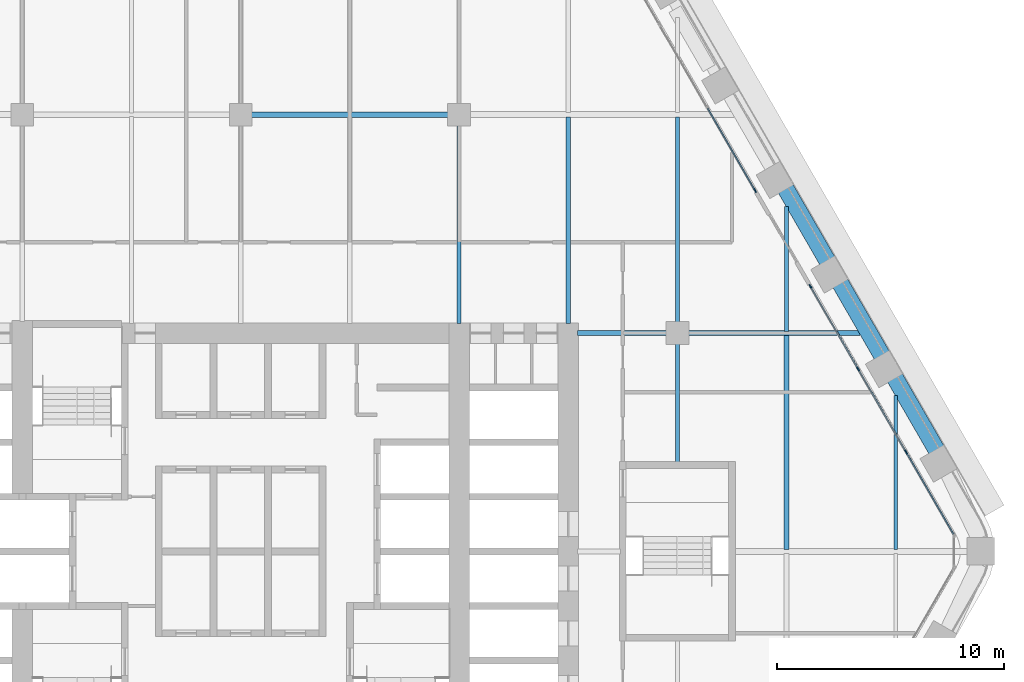
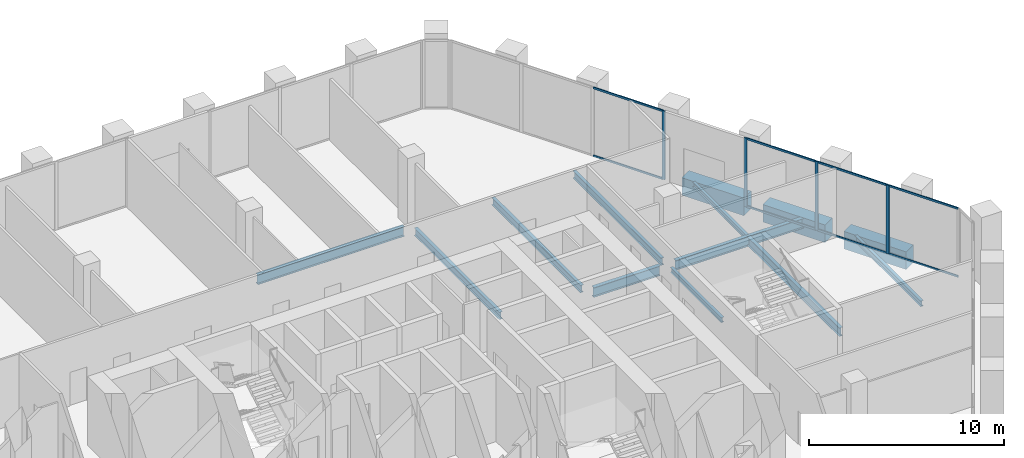
# One storey, part 8 of 23: 13 beams, 12 members, 2 elements without a shape of their own.
"""IFC4 building model written with IfcOpenShell, lengths in metres."""

from ifc_helpers import new_model, si_unit, direction, frame, origin, origin_2d, place, context, subcontext, project, spatial, rectangle, i_section, extrude, material, material_profile, profile_set, type_object, element, aggregate, save


model = new_model("IFC4")

# Units and contexts
model_context = context("Model", 3, precision=1e-05, world=origin(), true_north=direction((0.0, 1.0)))
body_context = subcontext(model_context, "Body", "Model", "MODEL_VIEW")
ifc_project = project(units=[si_unit("LENGTHUNIT", "METRE"), si_unit("AREAUNIT", "SQUARE_METRE"), si_unit("VOLUMEUNIT", "CUBIC_METRE"), si_unit("PLANEANGLEUNIT", "RADIAN"), si_unit("MASSUNIT", "GRAM", prefix="KILO")], contexts=[model_context])

# Site, building, storey
site_placement = place(None, origin())
site = spatial("IfcSite", under=ifc_project, at=site_placement, CompositionType="ELEMENT")
building_placement = place(site_placement, origin())
building = spatial("IfcBuilding", under=site, at=building_placement, Name="Kolab Exchange Tower", CompositionType="ELEMENT")
storey_placement = place(building_placement, frame((0.0, 0.0, 95.89990234375)))
storey = spatial("IfcBuildingStorey", under=building, at=storey_placement, Name="L18", CompositionType="ELEMENT", Elevation=95.89990234375)

# Beams
ifc_material_1 = material(Name="Steel S355", Category="steel")
ifc_material_profile_1 = material_profile(ifc_material_1, i_section(OverallWidth=0.1650390625, OverallDepth=0.31005859375, WebThickness=0.005859375, FlangeThickness=0.009765625, at=origin_2d()), Name="W310X39")
ifc_profile_set_1 = profile_set([ifc_material_profile_1], Name="Steel S355")
beam_type_1 = type_object("IfcBeamType", Name="FLOOR BEAM W310X39", PredefinedType="BEAM", material=ifc_profile_set_1)
beam_1_placement = place(storey_placement, frame((19.199951171875, 3.909912109375, -0.35498046875), z_axis=(0.0, 1.0, 0.0), x_axis=(-1.0, 0.0, 0.0)))
element("IfcBeam", 1, at=beam_1_placement, inside=storey, type_object=beam_type_1, Name="beam/L18/fr/043", PredefinedType="BEAM", context=body_context, shape_type="SweptSolid", body=[
    extrude(i_section(OverallWidth=0.1650390625, OverallDepth=0.31005859375, WebThickness=0.005859375, FlangeThickness=0.009765625, at=origin_2d()), origin(), (0.0, 0.0, 1.0), 5.22998046875),
])
beam_2_placement = place(storey_placement, frame((24.0, 9.674072265625, -0.35498046875), z_axis=(0.0, 1.0, 0.0), x_axis=(-1.0, 0.0, 0.0)))
element("IfcBeam", 2, at=beam_2_placement, inside=storey, type_object=beam_type_1, Name="beam/L18/fr/049", PredefinedType="BEAM", context=body_context, shape_type="SweptSolid", body=[
    extrude(i_section(OverallWidth=0.1650390625, OverallDepth=0.31005859375, WebThickness=0.005859375, FlangeThickness=0.009765625, at=origin_2d()), origin(), (0.0, 0.0, 1.0), 5.49365234375),
])
ifc_material_profile_2 = material_profile(ifc_material_1, i_section(OverallWidth=0.1708984375, OverallDepth=0.35498046875, WebThickness=0.007080078125, FlangeThickness=0.01171875, at=origin_2d()), Name="W360X51")
ifc_profile_set_2 = profile_set([ifc_material_profile_2], Name="Steel S355")
beam_type_2 = type_object("IfcBeamType", Name="FLOOR BEAM W360X51", PredefinedType="BEAM", material=ifc_profile_set_2)
beam_3_placement = place(storey_placement, frame((28.800048828125, 0.0869140625, -0.37744140625), z_axis=(0.0, 1.0, 0.0), x_axis=(-1.0, 0.0, 0.0)))
element("IfcBeam", 3, at=beam_3_placement, inside=storey, type_object=beam_type_2, Name="beam/L18/fr/051", PredefinedType="BEAM", context=body_context, shape_type="SweptSolid", body=[
    extrude(i_section(OverallWidth=0.1708984375, OverallDepth=0.35498046875, WebThickness=0.007080078125, FlangeThickness=0.01171875, at=origin_2d()), origin(), (0.0, 0.0, 1.0), 6.766845703125),
])
ifc_material_profile_3 = material_profile(ifc_material_1, i_section(OverallWidth=0.18994140625, OverallDepth=0.45703125, WebThickness=0.009033203125, FlangeThickness=0.014404296875, at=origin_2d()), Name="W460X74")
ifc_profile_set_3 = profile_set([ifc_material_profile_3], Name="Steel S355")
beam_type_3 = type_object("IfcBeamType", Name="FLOOR BEAM W460X74", PredefinedType="BEAM", material=ifc_profile_set_3)
beam_4_placement = place(storey_placement, frame((9.60009765625, 10.010009765625, -0.428466796875), z_axis=(0.0, 1.0, 0.0), x_axis=(-1.0, 0.0, 0.0)))
element("IfcBeam", 4, at=beam_4_placement, inside=storey, type_object=beam_type_3, Name="beam/L18/fr/034", PredefinedType="BEAM", context=body_context, shape_type="SweptSolid", body=[
    extrude(i_section(OverallWidth=0.18994140625, OverallDepth=0.45703125, WebThickness=0.009033203125, FlangeThickness=0.014404296875, at=origin_2d()), origin(), (0.0, 0.0, 1.0), 8.72998046875),
])
beam_5_placement = place(storey_placement, frame((14.39990234375, 10.010009765625, -0.428466796875), z_axis=(0.0, 1.0, 0.0), x_axis=(-1.0, 0.0, 0.0)))
element("IfcBeam", 5, at=beam_5_placement, inside=storey, type_object=beam_type_3, Name="beam/L18/fr/038", PredefinedType="BEAM", context=body_context, shape_type="SweptSolid", body=[
    extrude(i_section(OverallWidth=0.18994140625, OverallDepth=0.45703125, WebThickness=0.009033203125, FlangeThickness=0.014404296875, at=origin_2d()), origin(), (0.0, 0.0, 1.0), 9.096435546875),
])
beam_6_placement = place(storey_placement, frame((19.199951171875, 10.06005859375, -0.428466796875), z_axis=(0.0, 1.0, 0.0), x_axis=(-1.0, 0.0, 0.0)))
element("IfcBeam", 6, at=beam_6_placement, inside=storey, type_object=beam_type_3, Name="beam/L18/fr/044", PredefinedType="BEAM", context=body_context, shape_type="SweptSolid", body=[
    extrude(i_section(OverallWidth=0.18994140625, OverallDepth=0.45703125, WebThickness=0.009033203125, FlangeThickness=0.014404296875, at=origin_2d()), origin(), (0.0, 0.0, 1.0), 9.04638671875),
])
ifc_material_profile_4 = material_profile(ifc_material_1, i_section(OverallWidth=0.208984375, OverallDepth=0.532958984375, WebThickness=0.01025390625, FlangeThickness=0.015625, at=origin_2d()), Name="W530X92")
ifc_profile_set_4 = profile_set([ifc_material_profile_4], Name="Steel S355")
beam_type_4 = type_object("IfcBeamType", Name="FLOOR BEAM W530X92", PredefinedType="BEAM", material=ifc_profile_set_4)
beam_7_placement = place(storey_placement, frame((24.0, 0.0869140625, -0.46630859375), z_axis=(0.0, 1.0, 0.0), x_axis=(-1.0, 0.0, 0.0)))
element("IfcBeam", 7, at=beam_7_placement, inside=storey, type_object=beam_type_4, Name="beam/L18/fr/048", PredefinedType="BEAM", context=body_context, shape_type="SweptSolid", body=[
    extrude(i_section(OverallWidth=0.208984375, OverallDepth=0.532958984375, WebThickness=0.01025390625, FlangeThickness=0.015625, at=origin_2d()), origin(), (0.0, 0.0, 1.0), 9.43896484375),
])
ifc_material_profile_5 = material_profile(ifc_material_1, i_section(OverallWidth=0.22802734375, OverallDepth=0.60791015625, WebThickness=0.01123046875, FlangeThickness=0.017333984375, at=origin_2d()), Name="W610X113")
ifc_profile_set_5 = profile_set([ifc_material_profile_5], Name="Steel S355")
beam_type_5 = type_object("IfcBeamType", Name="FLOOR GIRDER W610X113", PredefinedType="BEAM", material=ifc_profile_set_5)
beam_8_placement = place(storey_placement, frame((0.4599609375, 19.199951171875, -0.50390625), z_axis=(1.0, 0.0, 0.0), x_axis=(0.0, 1.0, 0.0)))
element("IfcBeam", 8, at=beam_8_placement, inside=storey, type_object=beam_type_5, Name="beam/L18/gd/011", PredefinedType="BEAM", context=body_context, shape_type="SweptSolid", body=[
    extrude(i_section(OverallWidth=0.22802734375, OverallDepth=0.60791015625, WebThickness=0.01123046875, FlangeThickness=0.017333984375, at=origin_2d()), origin(), (0.0, 0.0, 1.0), 8.679931640625),
])
beam_9_placement = place(storey_placement, frame((14.81005859375, 9.60009765625, -0.50390625), z_axis=(1.0, 0.0, 0.0), x_axis=(0.0, 1.0, 0.0)))
element("IfcBeam", 9, at=beam_9_placement, inside=storey, type_object=beam_type_5, Name="beam/L18/gd/016", PredefinedType="BEAM", context=body_context, shape_type="SweptSolid", body=[
    extrude(i_section(OverallWidth=0.22802734375, OverallDepth=0.60791015625, WebThickness=0.01123046875, FlangeThickness=0.017333984375, at=origin_2d()), origin(), (0.0, 0.0, 1.0), 3.929931640625),
])
beam_10_placement = place(storey_placement, frame((19.659912109375, 9.60009765625, -0.50390625), z_axis=(1.0, 0.0, 0.0), x_axis=(0.0, 1.0, 0.0)))
element("IfcBeam", 10, at=beam_10_placement, inside=storey, type_object=beam_type_5, Name="beam/L18/gd/018", PredefinedType="BEAM", context=body_context, shape_type="SweptSolid", body=[
    extrude(i_section(OverallWidth=0.22802734375, OverallDepth=0.60791015625, WebThickness=0.01123046875, FlangeThickness=0.017333984375, at=origin_2d()), origin(), (0.0, 0.0, 1.0), 7.571533203125),
])
ifc_material_2 = material(Name="Concrete C70/85", Category="concrete")
ifc_material_profile_6 = material_profile(ifc_material_2, rectangle(XDim=0.75, YDim=1.10009765625, at=origin_2d()), Name="RC750X1100")
ifc_profile_set_6 = profile_set([ifc_material_profile_6], Name="Concrete C70/85")
beam_type_6 = type_object("IfcBeamType", Name="SPANDREL BEAM 750X1100 C70/85", PredefinedType="BEAM", material=ifc_profile_set_6)
beam_11_placement = place(storey_placement, frame((23.955322265625, 15.955322265625, -0.75), z_axis=(0.499963655964, -0.866046386007, 0.0), x_axis=(0.866046386007, 0.499963655964, 0.0)))
element("IfcBeam", 11, at=beam_11_placement, inside=storey, type_object=beam_type_6, Name="beam/L18/sp/F2-04", PredefinedType="BEAM", context=body_context, shape_type="SweptSolid", body=[
    extrude(rectangle(XDim=0.75, YDim=1.10009765625, at=origin_2d()), origin(), (0.0, 0.0, 1.0), 3.679931640625),
])
for number, where, z_axis, x_axis, name in (
    (12, (26.355224609375, 11.79833984375, -0.75), (0.500013413428, -0.866017659399, 0.0), (0.866017659399, 0.500013413428, 0.0), "beam/L18/sp/F2-05"),
    (13, (28.755126953125, 7.641357421875, -0.75), (0.500013413428, -0.866017659399, 0.0), (0.866017659399, 0.500013413428, 0.0), "beam/L18/sp/F2-06"),
):
    element("IfcBeam", number, at=place(storey_placement, frame(where, z_axis=z_axis, x_axis=x_axis)), inside=storey, type_object=beam_type_6, Name=name, PredefinedType="BEAM", context=body_context, shape_type="SweptSolid", body=[
        extrude(rectangle(XDim=0.75, YDim=1.10009765625, at=origin_2d()), origin(), (0.0, 0.0, 1.0), 3.68017578125),
    ])

# Curtain wall, member
ifc_material_3 = material(Name="Aluminium EN AW-6063 T6", Category="aluminium")
curtain_wall_type = type_object("IfcCurtainWallType", Name="UNITISED LOWER MID ZONE CURTAIN WALL", PredefinedType="NOTDEFINED", material=ifc_material_3)
curtain_wall_1_placement = place(storey_placement, origin())
curtain_wall_1 = element("IfcCurtainWall", 14, at=curtain_wall_1_placement, inside=storey, type_object=curtain_wall_type, Name="cw/L18/F2-1", PredefinedType="NOTDEFINED")
ifc_material_profile_7 = material_profile(ifc_material_3, rectangle(XDim=0.06005859375, YDim=0.179931640625, at=origin_2d()), Name="RECT 60X180")
ifc_profile_set_7 = profile_set([ifc_material_profile_7], Name="Aluminium EN AW-6063 T6")
member_type_1 = type_object("IfcMemberType", Name="UNITISED LOWER MID ZONE MULLION 60 X 180", PredefinedType="MULLION", material=ifc_profile_set_7)
member_1_placement = place(storey_placement, frame((22.61669921875, 15.86376953125, 0.0), z_axis=(0.0, 0.0, 1.0), x_axis=(0.866025393644, 0.500000017564, 0.0)))
member_1 = element("IfcMember", 15, at=member_1_placement, type_object=member_type_1, Name="CW2 mullion 4", PredefinedType="MULLION", context=body_context, shape_type="SweptSolid", body=[
    extrude(rectangle(XDim=0.06005859375, YDim=0.179931640625, at=origin_2d()), origin(), (0.0, 0.0, 1.0), 4.300048828125),
])

# Curtain wall, members
curtain_wall_2_placement = place(storey_placement, origin())
curtain_wall_2 = element("IfcCurtainWall", 16, at=curtain_wall_2_placement, inside=storey, type_object=curtain_wall_type, Name="cw/L18/F2-2", PredefinedType="NOTDEFINED")
member_2_placement = place(storey_placement, frame((25.046630859375, 11.65478515625, 0.0), z_axis=(0.0, 0.0, 1.0), x_axis=(0.866025427826, 0.499999958358, 0.0)))
member_2 = element("IfcMember", 17, at=member_2_placement, type_object=member_type_1, Name="CW2 mullion 1", PredefinedType="MULLION", context=body_context, shape_type="SweptSolid", body=[
    extrude(rectangle(XDim=0.06005859375, YDim=0.179931640625, at=origin_2d()), origin(), (0.0, 0.0, 1.0), 4.300048828125),
])
member_3_placement = place(storey_placement, frame((27.14306640625, 8.02392578125, 0.0), z_axis=(0.0, 0.0, 1.0), x_axis=(0.866025427826, 0.499999958358, 0.0)))
member_3 = element("IfcMember", 18, at=member_3_placement, type_object=member_type_1, Name="CW2 mullion 2", PredefinedType="MULLION", context=body_context, shape_type="SweptSolid", body=[
    extrude(rectangle(XDim=0.06005859375, YDim=0.179931640625, at=origin_2d()), origin(), (0.0, 0.0, 1.0), 4.300048828125),
])
member_4_placement = place(storey_placement, frame((29.25439453125, 4.366943359375, 0.0), z_axis=(0.0, 0.0, 1.0), x_axis=(0.866025427826, 0.499999958358, 0.0)))
member_4 = element("IfcMember", 19, at=member_4_placement, type_object=member_type_1, Name="CW2 mullion 3", PredefinedType="MULLION", context=body_context, shape_type="SweptSolid", body=[
    extrude(rectangle(XDim=0.06005859375, YDim=0.179931640625, at=origin_2d()), origin(), (0.0, 0.0, 1.0), 4.300048828125),
])

# Member
ifc_material_profile_8 = material_profile(ifc_material_3, rectangle(XDim=0.06005859375, YDim=0.1201171875, at=origin_2d()), Name="RECT 60X120")
ifc_profile_set_8 = profile_set([ifc_material_profile_8], Name="Aluminium EN AW-6063 T6")
member_type_2 = type_object("IfcMemberType", Name="UNITISED LOWER MID ZONE TRANSOM 60 X 120", PredefinedType="USERDEFINED", material=ifc_profile_set_8)
member_5_placement = place(storey_placement, frame((20.535400390625, 19.46875, 0.030029296875), z_axis=(0.499957688808, -0.866049830784, 0.0), x_axis=(0.866049830784, 0.499957688808, 0.0)))
member_5 = element("IfcMember", 20, at=member_5_placement, type_object=member_type_2, Name="CW2 transom 3.1", ObjectType="TRANSOM", PredefinedType="USERDEFINED", context=body_context, shape_type="SweptSolid", body=[
    extrude(rectangle(XDim=0.06005859375, YDim=0.1201171875, at=origin_2d()), origin(), (0.0, 0.0, 1.0), 4.132568359375),
])

member_6_placement = place(storey_placement, frame((20.535400390625, 19.46875, 4.27001953125), z_axis=(0.499957688808, -0.866049830784, 0.0), x_axis=(0.866049830784, 0.499957688808, 0.0)))
member_6 = element("IfcMember", 21, at=member_6_placement, type_object=member_type_2, Name="CW2 transom 3.2", ObjectType="TRANSOM", PredefinedType="USERDEFINED", context=body_context, shape_type="SweptSolid", body=[
    extrude(rectangle(XDim=0.06005859375, YDim=0.1201171875, at=origin_2d()), origin(), (0.0, 0.0, 1.0), 4.132568359375),
])

aggregate(curtain_wall_1, [member_1, member_5, member_6])

member_7_placement = place(storey_placement, frame((25.061767578125, 11.62890625, 0.030029296875), z_axis=(0.499957688808, -0.866049830784, 0.0), x_axis=(0.866049830784, 0.499957688808, 0.0)))
member_7 = element("IfcMember", 22, at=member_7_placement, type_object=member_type_2, Name="CW2 transom 1.1", ObjectType="TRANSOM", PredefinedType="USERDEFINED", context=body_context, shape_type="SweptSolid", body=[
    extrude(rectangle(XDim=0.06005859375, YDim=0.1201171875, at=origin_2d()), origin(), (0.0, 0.0, 1.0), 4.132568359375),
])

member_8_placement = place(storey_placement, frame((25.061767578125, 11.62890625, 4.27001953125), z_axis=(0.499957688808, -0.866049830784, 0.0), x_axis=(0.866049830784, 0.499957688808, 0.0)))
member_8 = element("IfcMember", 23, at=member_8_placement, type_object=member_type_2, Name="CW2 transom 1.2", ObjectType="TRANSOM", PredefinedType="USERDEFINED", context=body_context, shape_type="SweptSolid", body=[
    extrude(rectangle(XDim=0.06005859375, YDim=0.1201171875, at=origin_2d()), origin(), (0.0, 0.0, 1.0), 4.132568359375),
])

member_9_placement = place(storey_placement, frame((27.157958984375, 7.997802734375, 0.030029296875), z_axis=(0.49999322259, -0.866029316688, 0.0), x_axis=(0.866029316688, 0.49999322259, 0.0)))
member_9 = element("IfcMember", 24, at=member_9_placement, type_object=member_type_2, Name="CW2 transom 2.1", ObjectType="TRANSOM", PredefinedType="USERDEFINED", context=body_context, shape_type="SweptSolid", body=[
    extrude(rectangle(XDim=0.06005859375, YDim=0.1201171875, at=origin_2d()), origin(), (0.0, 0.0, 1.0), 4.16259765625),
])

member_10_placement = place(storey_placement, frame((27.157958984375, 7.997802734375, 4.27001953125), z_axis=(0.49999322259, -0.866029316688, 0.0), x_axis=(0.866029316688, 0.49999322259, 0.0)))
member_10 = element("IfcMember", 25, at=member_10_placement, type_object=member_type_2, Name="CW2 transom 2.2", ObjectType="TRANSOM", PredefinedType="USERDEFINED", context=body_context, shape_type="SweptSolid", body=[
    extrude(rectangle(XDim=0.06005859375, YDim=0.1201171875, at=origin_2d()), origin(), (0.0, 0.0, 1.0), 4.16259765625),
])

member_11_placement = place(storey_placement, frame((29.269287109375, 4.3408203125, 0.030029296875), z_axis=(0.500027577057, -0.866009481578, 0.0), x_axis=(0.866009481578, 0.500027577057, 0.0)))
member_11 = element("IfcMember", 26, at=member_11_placement, type_object=member_type_2, Name="CW2 transom 3.1", ObjectType="TRANSOM", PredefinedType="USERDEFINED", context=body_context, shape_type="SweptSolid", body=[
    extrude(rectangle(XDim=0.06005859375, YDim=0.1201171875, at=origin_2d()), origin(), (0.0, 0.0, 1.0), 4.132568359375),
])

member_12_placement = place(storey_placement, frame((29.269287109375, 4.3408203125, 4.27001953125), z_axis=(0.500027577057, -0.866009481578, 0.0), x_axis=(0.866009481578, 0.500027577057, 0.0)))
member_12 = element("IfcMember", 27, at=member_12_placement, type_object=member_type_2, Name="CW2 transom 3.2", ObjectType="TRANSOM", PredefinedType="USERDEFINED", context=body_context, shape_type="SweptSolid", body=[
    extrude(rectangle(XDim=0.06005859375, YDim=0.1201171875, at=origin_2d()), origin(), (0.0, 0.0, 1.0), 4.132568359375),
])

aggregate(curtain_wall_2, [member_2, member_3, member_4, member_7, member_8, member_9, member_10, member_11, member_12])

save(model, "model.ifc")
